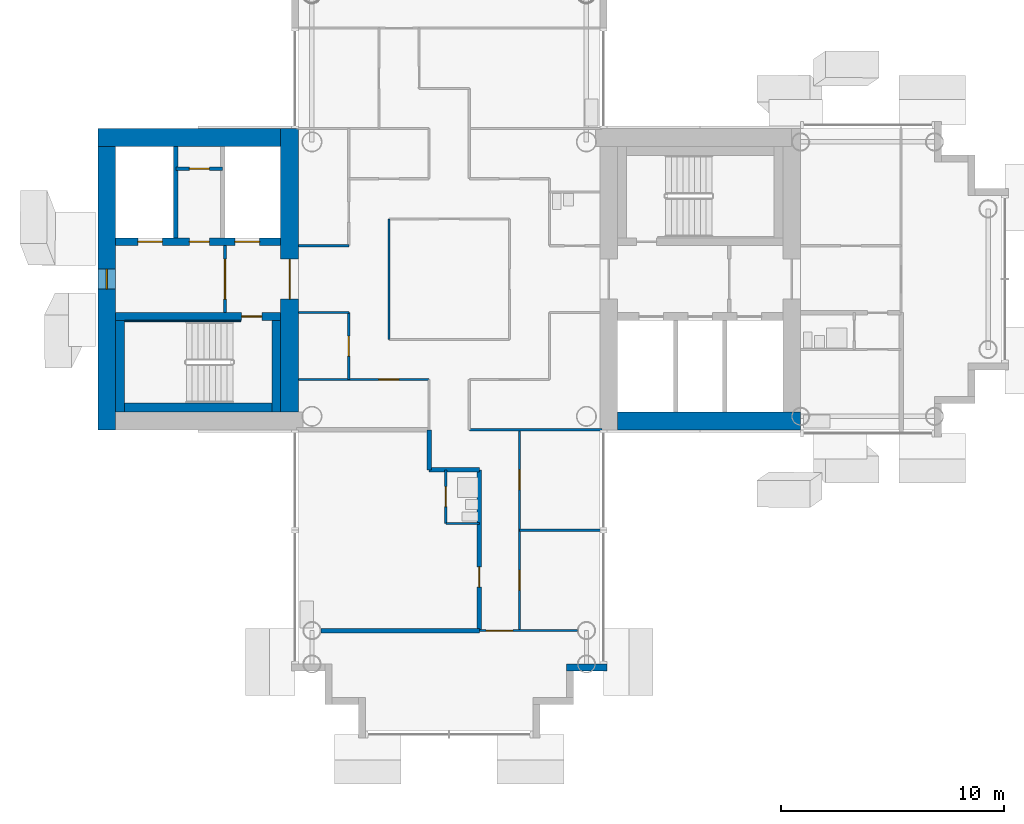
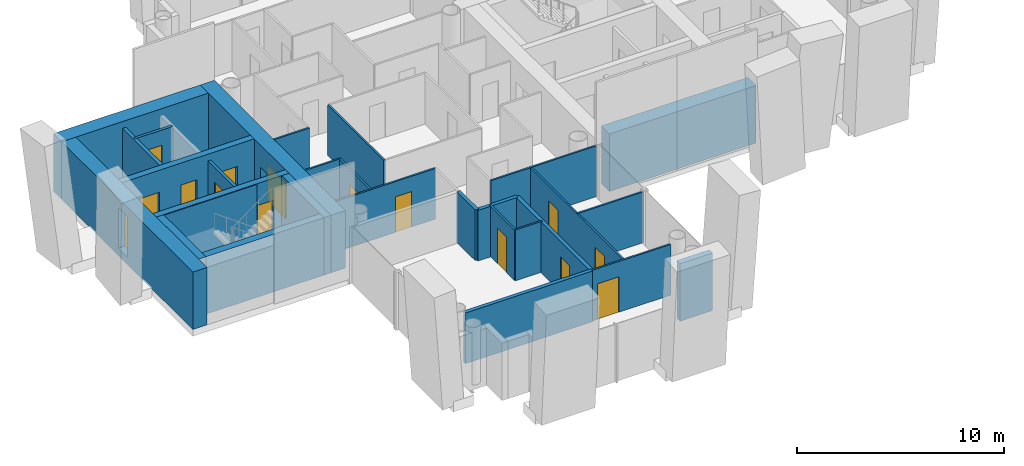
# One storey, part 6 of 18: 29 walls, 14 doors, 1 window, 15 openings.
"""IFC4 building model written with IfcOpenShell, lengths in metres."""

from ifc_helpers import new_model, si_unit, direction, frame, frame_2d, origin, place, context, subcontext, project, spatial, rectangle, extrude, material, layer, layer_set, type_object, element, fill, save


model = new_model("IFC4")

# Units and contexts
model_context = context("Model", 3, precision=1e-05, world=origin(), true_north=direction((0.0, 1.0)))
body_context = subcontext(model_context, "Body", "Model", "MODEL_VIEW")
ifc_project = project(units=[si_unit("LENGTHUNIT", "METRE"), si_unit("AREAUNIT", "SQUARE_METRE"), si_unit("VOLUMEUNIT", "CUBIC_METRE"), si_unit("PLANEANGLEUNIT", "RADIAN"), si_unit("MASSUNIT", "GRAM", prefix="KILO")], contexts=[model_context])

# Site, building, storey
site_placement = place(None, origin())
site = spatial("IfcSite", under=ifc_project, at=site_placement, CompositionType="ELEMENT")
building_placement = place(site_placement, origin())
building = spatial("IfcBuilding", under=site, at=building_placement, Name="Ipe Terrace Towers", CompositionType="ELEMENT")
storey_placement = place(building_placement, frame((0.0, 0.0, 164.300048828125)))
storey = spatial("IfcBuildingStorey", under=building, at=storey_placement, Name="L45", CompositionType="ELEMENT", Elevation=164.300048828125)

# Wall
ifc_material_1 = material(Name="Concrete C40/50 with buff precast cladding", Category="concrete")
ifc_layer_1 = layer(ifc_material_1, 0.320068359375)
ifc_layer_set_1 = layer_set([ifc_layer_1], Name="BUFF CLADDING WALL 320")
wall_type_1 = type_object("IfcWallType", Name="BUFF CLADDING WALL 320", PredefinedType="STANDARD", material=ifc_layer_set_1)
wall_1_placement = place(storey_placement, frame((-30.75, -17.409912109375, -0.300048828125), z_axis=(0.0, 0.0, 1.0), x_axis=(1.0, 0.0, 0.0)))
element("IfcWall", 1, at=wall_1_placement, inside=storey, type_object=wall_type_1, Name="T1-W-L45-12a wall", PredefinedType="STANDARD", context=body_context, shape_type="SweptSolid", body=[
    extrude(rectangle(XDim=1.820068359375, YDim=0.320068359375, at=frame_2d((0.91015625, 0.0))), origin(), (0.0, 0.0, 1.0), 3.39990234375),
])

# Wall, opening, door
ifc_material_2 = material(Name="Gypsum board partition", Category="plasterboard")
ifc_layer_2 = layer(ifc_material_2, 0.10009765625)
ifc_layer_set_2 = layer_set([ifc_layer_2], Name="Gypsum board partition 100 mm")
wall_type_2 = type_object("IfcWallType", Name="Gypsum board partition 100 mm", PredefinedType="PARTITIONING", material=ifc_layer_set_2)
wall_2_placement = place(storey_placement, frame((-40.5, -4.5, 0.0), z_axis=(0.0, 0.0, 1.0), x_axis=(0.0, 1.0, 0.0)))
wall_2 = element("IfcWall", 2, at=wall_2_placement, inside=storey, type_object=wall_type_2, Name="Gypsum board partition T1 L45 W01", PredefinedType="PARTITIONING", context=body_context, shape_type="SweptSolid", body=[
    extrude(rectangle(XDim=3.0, YDim=0.10009765625, at=frame_2d((1.5, 0.0))), origin(), (0.0, 0.0, 1.0), 3.0),
])
opening_1_placement = place(wall_2_placement, frame((1.050048828125, 0.0, 0.0)))
opening_1 = element("IfcOpeningElement", 3, at=opening_1_placement, cuts=wall_2, Name="Opening T1-Z3F-08", PredefinedType="OPENING", context=body_context, shape_type="SweptSolid", body=[
    extrude(rectangle(XDim=0.89990234375, YDim=2.10009765625, at=frame_2d((0.449951171875, 1.050048828125))), frame((0.0, 0.06005859375, 0.0), z_axis=(0.0, -1.0, 0.0), x_axis=(1.0, 0.0, 0.0)), (0.0, 0.0, 1.0), 0.1201171875),
])
ifc_material_3 = material(Name="Timber door leaf", Category="wood")
door_type_1 = type_object("IfcDoorType", Name="Lounge door 900 x 2100", OperationType="NOTDEFINED", PredefinedType="DOOR", material=ifc_material_3)
door_1_placement = place(opening_1_placement, origin())
door_1 = element("IfcDoor", 4, at=door_1_placement, inside=storey, type_object=door_type_1, Name="Lounge door T1-Z3F-08", OperationType="SINGLE_SWING_LEFT", OverallHeight=2.10009765625, OverallWidth=0.89990234375, PredefinedType="DOOR", context=body_context, shape_type="SweptSolid", body=[
    extrude(rectangle(XDim=0.89990234375, YDim=2.10009765625, at=frame_2d((0.449951171875, 1.050048828125))), frame((0.0, 0.02490234375, 0.0), z_axis=(0.0, -1.0, 0.0), x_axis=(1.0, 0.0, 0.0)), (0.0, 0.0, 1.0), 0.050048828125),
])
fill(opening_1, door_1)

# Wall
wall_3_placement = place(storey_placement, frame((-38.699951171875, -2.699951171875, 0.0), z_axis=(0.0, 0.0, 1.0), x_axis=(0.0, 1.0, 0.0)))
element("IfcWall", 5, at=wall_3_placement, inside=storey, type_object=wall_type_2, Name="Gypsum board partition T1 L45 W04", PredefinedType="PARTITIONING", context=body_context, shape_type="SweptSolid", body=[
    extrude(rectangle(XDim=5.39990234375, YDim=0.10009765625, at=frame_2d((2.699951171875, 0.0))), origin(), (0.0, 0.0, 1.0), 3.0),
])

# Wall, opening, door
wall_4_placement = place(storey_placement, frame((-36.14990234375, -10.949951171875, 0.0), z_axis=(0.0, 0.0, 1.0), x_axis=(0.0, 1.0, 0.0)))
wall_4 = element("IfcWall", 6, at=wall_4_placement, inside=storey, type_object=wall_type_2, Name="Gypsum board partition T1 L45 W09", PredefinedType="PARTITIONING", context=body_context, shape_type="SweptSolid", body=[
    extrude(rectangle(XDim=2.39990234375, YDim=0.10009765625, at=frame_2d((1.199951171875, 0.0))), origin(), (0.0, 0.0, 1.0), 3.0),
])
opening_2_placement = place(wall_4_placement, frame((0.75, 0.0, 0.0)))
opening_2 = element("IfcOpeningElement", 7, at=opening_2_placement, cuts=wall_4, Name="Opening T1-Z3F-16", PredefinedType="OPENING", context=body_context, shape_type="SweptSolid", body=[
    extrude(rectangle(XDim=0.89990234375, YDim=2.10009765625, at=frame_2d((0.449951171875, 1.050048828125))), frame((0.0, 0.06005859375, 0.0), z_axis=(0.0, -1.0, 0.0), x_axis=(1.0, 0.0, 0.0)), (0.0, 0.0, 1.0), 0.1201171875),
])
ifc_material_4 = material(Name="Timber door leaf", Category="wood")
door_type_2 = type_object("IfcDoorType", Name="Bathroom door 900 x 2100", OperationType="NOTDEFINED", PredefinedType="DOOR", material=ifc_material_4)
door_2_placement = place(opening_2_placement, origin())
door_2 = element("IfcDoor", 8, at=door_2_placement, inside=storey, type_object=door_type_2, Name="Bathroom door T1-Z3F-16", OperationType="SINGLE_SWING_RIGHT", OverallHeight=2.10009765625, OverallWidth=0.89990234375, PredefinedType="DOOR", context=body_context, shape_type="SweptSolid", body=[
    extrude(rectangle(XDim=0.89990234375, YDim=2.10009765625, at=frame_2d((0.449951171875, 1.050048828125))), frame((0.0, 0.02490234375, 0.0), z_axis=(0.0, -1.0, 0.0), x_axis=(1.0, 0.0, 0.0)), (0.0, 0.0, 1.0), 0.050048828125),
])
fill(opening_2, door_2)

# Wall, openings, doors
wall_5_placement = place(storey_placement, frame((-32.85009765625, -15.75, 0.0), z_axis=(0.0, 0.0, 1.0), x_axis=(0.0, 1.0, 0.0)))
wall_5 = element("IfcWall", 9, at=wall_5_placement, inside=storey, type_object=wall_type_2, Name="Gypsum board partition T1 L45 W14", PredefinedType="PARTITIONING", context=body_context, shape_type="SweptSolid", body=[
    extrude(rectangle(XDim=9.0, YDim=0.10009765625, at=frame_2d((4.5, 0.0))), origin(), (0.0, 0.0, 1.0), 3.0),
])
opening_3_placement = place(wall_5_placement, frame((6.300048828125, 0.0, 0.0)))
opening_3 = element("IfcOpeningElement", 10, at=opening_3_placement, cuts=wall_5, Name="Opening T1-Z3F-13", PredefinedType="OPENING", context=body_context, shape_type="SweptSolid", body=[
    extrude(rectangle(XDim=0.89990234375, YDim=2.10009765625, at=frame_2d((0.449951171875, 1.050048828125))), frame((0.0, 0.06005859375, 0.0), z_axis=(0.0, -1.0, 0.0), x_axis=(1.0, 0.0, 0.0)), (0.0, 0.0, 1.0), 0.1201171875),
])
opening_4_placement = place(wall_5_placement, frame((1.800048828125, 0.0, 0.0)))
opening_4 = element("IfcOpeningElement", 11, at=opening_4_placement, cuts=wall_5, Name="Opening T1-Z3F-14", PredefinedType="OPENING", context=body_context, shape_type="SweptSolid", body=[
    extrude(rectangle(XDim=0.89990234375, YDim=2.10009765625, at=frame_2d((0.449951171875, 1.050048828125))), frame((0.0, 0.06005859375, 0.0), z_axis=(0.0, -1.0, 0.0), x_axis=(1.0, 0.0, 0.0)), (0.0, 0.0, 1.0), 0.1201171875),
])
door_3_placement = place(opening_3_placement, origin())
door_3 = element("IfcDoor", 12, at=door_3_placement, inside=storey, type_object=door_type_1, Name="Lounge door T1-Z3F-13", OperationType="SINGLE_SWING_RIGHT", OverallHeight=2.10009765625, OverallWidth=0.89990234375, PredefinedType="DOOR", context=body_context, shape_type="SweptSolid", body=[
    extrude(rectangle(XDim=0.89990234375, YDim=2.10009765625, at=frame_2d((0.449951171875, 1.050048828125))), frame((0.0, 0.02490234375, 0.0), z_axis=(0.0, -1.0, 0.0), x_axis=(1.0, 0.0, 0.0)), (0.0, 0.0, 1.0), 0.050048828125),
])
fill(opening_3, door_3)
door_4_placement = place(opening_4_placement, origin())
door_4 = element("IfcDoor", 13, at=door_4_placement, inside=storey, type_object=door_type_1, Name="Lounge door T1-Z3F-14", OperationType="SINGLE_SWING_LEFT", OverallHeight=2.10009765625, OverallWidth=0.89990234375, PredefinedType="DOOR", context=body_context, shape_type="SweptSolid", body=[
    extrude(rectangle(XDim=0.89990234375, YDim=2.10009765625, at=frame_2d((0.449951171875, 1.050048828125))), frame((0.0, 0.02490234375, 0.0), z_axis=(0.0, -1.0, 0.0), x_axis=(1.0, 0.0, 0.0)), (0.0, 0.0, 1.0), 0.050048828125),
])
fill(opening_4, door_4)

# Wall, opening, door
wall_6_placement = place(storey_placement, frame((-34.64990234375, -15.75, 0.0), z_axis=(0.0, 0.0, 1.0), x_axis=(1.0, 0.0, 0.0)))
wall_6 = element("IfcWall", 14, at=wall_6_placement, inside=storey, type_object=wall_type_2, Name="Gypsum board partition T1 L45 W20", PredefinedType="PARTITIONING", context=body_context, shape_type="SweptSolid", body=[
    extrude(rectangle(XDim=4.39990234375, YDim=0.10009765625, at=frame_2d((2.199951171875, 0.0))), origin(), (0.0, 0.0, 1.0), 3.0),
])
opening_5_placement = place(wall_6_placement, frame((0.300048828125, 0.0, 0.0)))
opening_5 = element("IfcOpeningElement", 15, at=opening_5_placement, cuts=wall_6, Name="Opening T1-Z3F-17", PredefinedType="OPENING", context=body_context, shape_type="SweptSolid", body=[
    extrude(rectangle(XDim=1.199951171875, YDim=2.10009765625, at=frame_2d((0.60009765625, 1.050048828125))), frame((0.0, 0.06005859375, 0.0), z_axis=(0.0, -1.0, 0.0), x_axis=(1.0, 0.0, 0.0)), (0.0, 0.0, 1.0), 0.1201171875),
])
ifc_material_5 = material(Name="Timber door leaf", Category="wood")
door_type_3 = type_object("IfcDoorType", Name="Lounge door 1200 x 2100", OperationType="NOTDEFINED", PredefinedType="DOOR", material=ifc_material_5)
door_5_placement = place(opening_5_placement, origin())
door_5 = element("IfcDoor", 16, at=door_5_placement, inside=storey, type_object=door_type_3, Name="Lounge door T1-Z3F-17", OperationType="SINGLE_SWING_LEFT", OverallHeight=2.10009765625, OverallWidth=1.199951171875, PredefinedType="DOOR", context=body_context, shape_type="SweptSolid", body=[
    extrude(rectangle(XDim=1.199951171875, YDim=2.10009765625, at=frame_2d((0.60009765625, 1.050048828125))), frame((0.0, 0.02490234375, 0.0), z_axis=(0.0, -1.0, 0.0), x_axis=(1.0, 0.0, 0.0)), (0.0, 0.0, 1.0), 0.050048828125),
])
fill(opening_5, door_5)

# Walls
wall_7_placement = place(storey_placement, frame((-32.85009765625, -11.25, 0.0), z_axis=(0.0, 0.0, 1.0), x_axis=(1.0, 0.0, 0.0)))
element("IfcWall", 17, at=wall_7_placement, inside=storey, type_object=wall_type_2, Name="Gypsum board partition T1 L45 W22", PredefinedType="PARTITIONING", context=body_context, shape_type="SweptSolid", body=[
    extrude(rectangle(XDim=3.7001953125, YDim=0.10009765625, at=frame_2d((1.85009765625, 0.0))), origin(), (0.0, 0.0, 1.0), 3.0),
])
wall_8_placement = place(storey_placement, frame((-36.14990234375, -10.949951171875, 0.0), z_axis=(0.0, 0.0, 1.0), x_axis=(1.0, 0.0, 0.0)))
element("IfcWall", 18, at=wall_8_placement, inside=storey, type_object=wall_type_2, Name="Gypsum board partition T1 L45 W23", PredefinedType="PARTITIONING", context=body_context, shape_type="SweptSolid", body=[
    extrude(rectangle(XDim=1.5, YDim=0.10009765625, at=frame_2d((0.75, 0.0))), origin(), (0.0, 0.0, 1.0), 3.0),
])
wall_9_placement = place(storey_placement, frame((-35.10009765625, -6.75, 0.0), z_axis=(0.0, 0.0, 1.0), x_axis=(1.0, 0.0, 0.0)))
element("IfcWall", 19, at=wall_9_placement, inside=storey, type_object=wall_type_2, Name="Gypsum board partition T1 L45 W25", PredefinedType="PARTITIONING", context=body_context, shape_type="SweptSolid", body=[
    extrude(rectangle(XDim=5.9501953125, YDim=0.10009765625, at=frame_2d((2.97509765625, 0.0))), origin(), (0.0, 0.0, 1.0), 3.0),
])

# Wall, opening, door
wall_10_placement = place(storey_placement, frame((-42.75, -4.5, 0.0), z_axis=(0.0, 0.0, 1.0), x_axis=(1.0, 0.0, 0.0)))
wall_10 = element("IfcWall", 20, at=wall_10_placement, inside=storey, type_object=wall_type_2, Name="Gypsum board partition T1 L45 W27", PredefinedType="PARTITIONING", context=body_context, shape_type="SweptSolid", body=[
    extrude(rectangle(XDim=5.85009765625, YDim=0.10009765625, at=frame_2d((2.925048828125, 0.0))), origin(), (0.0, 0.0, 1.0), 3.0),
])
opening_6_placement = place(wall_10_placement, frame((3.60009765625, 0.0, 0.0)))
opening_6 = element("IfcOpeningElement", 21, at=opening_6_placement, cuts=wall_10, Name="Opening T1-Z3F-07", PredefinedType="OPENING", context=body_context, shape_type="SweptSolid", body=[
    extrude(rectangle(XDim=0.89990234375, YDim=2.10009765625, at=frame_2d((0.449951171875, 1.050048828125))), frame((0.0, 0.06005859375, 0.0), z_axis=(0.0, -1.0, 0.0), x_axis=(1.0, 0.0, 0.0)), (0.0, 0.0, 1.0), 0.1201171875),
])
door_6_placement = place(opening_6_placement, origin())
door_6 = element("IfcDoor", 22, at=door_6_placement, inside=storey, type_object=door_type_1, Name="Lounge door T1-Z3F-07", OperationType="SINGLE_SWING_RIGHT", OverallHeight=2.10009765625, OverallWidth=0.89990234375, PredefinedType="DOOR", context=body_context, shape_type="SweptSolid", body=[
    extrude(rectangle(XDim=0.89990234375, YDim=2.10009765625, at=frame_2d((0.449951171875, 1.050048828125))), frame((0.0, 0.02490234375, 0.0), z_axis=(0.0, -1.0, 0.0), x_axis=(1.0, 0.0, 0.0)), (0.0, 0.0, 1.0), 0.050048828125),
])
fill(opening_6, door_6)

# Walls
for number, where, z_axis, x_axis, name in (
    (23, (-42.75, -1.5, 0.0), (0.0, 0.0, 1.0), (1.0, 0.0, 0.0), "Gypsum board partition T1 L45 W31"),
    (24, (-42.75, 1.5, 0.0), (0.0, 0.0, 1.0), (1.0, 0.0, 0.0), "Gypsum board partition T1 L45 W34"),
):
    element("IfcWall", number, at=place(storey_placement, frame(where, z_axis=z_axis, x_axis=x_axis)), inside=storey, type_object=wall_type_2, Name=name, PredefinedType="PARTITIONING", context=body_context, shape_type="SweptSolid", body=[
        extrude(rectangle(XDim=2.25, YDim=0.10009765625, at=frame_2d((1.125, 0.0))), origin(), (0.0, 0.0, 1.0), 3.0),
    ])

# Wall, opening, door
ifc_material_6 = material(Name="Gypsum board partition", Category="plasterboard")
ifc_layer_3 = layer(ifc_material_6, 0.14990234375)
ifc_layer_set_3 = layer_set([ifc_layer_3], Name="Gypsum board partition 150 mm")
wall_type_3 = type_object("IfcWallType", Name="Gypsum board partition 150 mm", PredefinedType="PARTITIONING", material=ifc_layer_set_3)
wall_11_placement = place(storey_placement, frame((-46.050048828125, 1.5, 0.0), z_axis=(0.0, 0.0, 1.0), x_axis=(0.0, -1.0, 0.0)))
wall_11 = element("IfcWall", 25, at=wall_11_placement, inside=storey, type_object=wall_type_3, Name="Gypsum board partition T1 L45 t1c2-lobby-wall", PredefinedType="PARTITIONING", context=body_context, shape_type="SweptSolid", body=[
    extrude(rectangle(XDim=3.0, YDim=0.14990234375, at=frame_2d((1.5, 0.0))), origin(), (0.0, 0.0, 1.0), 3.0),
])
opening_7_placement = place(wall_11_placement, frame((0.60009765625, 0.0, 0.0)))
opening_7 = element("IfcOpeningElement", 26, at=opening_7_placement, cuts=wall_11, Name="Opening T1C2-VD", PredefinedType="OPENING", context=body_context, shape_type="SweptSolid", body=[
    extrude(rectangle(XDim=1.800048828125, YDim=2.10009765625, at=frame_2d((0.89990234375, 1.050048828125))), frame((0.0, 0.0849609375, 0.0), z_axis=(0.0, -1.0, 0.0), x_axis=(1.0, 0.0, 0.0)), (0.0, 0.0, 1.0), 0.169921875),
])
ifc_material_7 = material(Name="Fire-rated timber door leaf", Category="wood")
door_type_4 = type_object("IfcDoorType", Name="Lobby door 1800 x 2100 FD60", OperationType="NOTDEFINED", PredefinedType="DOOR", material=ifc_material_7)
door_7_placement = place(opening_7_placement, origin())
door_7 = element("IfcDoor", 27, at=door_7_placement, inside=storey, type_object=door_type_4, Name="Lobby door T1C2-VD", OperationType="SINGLE_SWING_LEFT", OverallHeight=2.10009765625, OverallWidth=1.800048828125, PredefinedType="DOOR", context=body_context, shape_type="SweptSolid", body=[
    extrude(rectangle(XDim=1.800048828125, YDim=2.10009765625, at=frame_2d((0.89990234375, 1.050048828125))), frame((0.0, 0.02490234375, 0.0), z_axis=(0.0, -1.0, 0.0), x_axis=(1.0, 0.0, 0.0)), (0.0, 0.0, 1.0), 0.050048828125),
])
fill(opening_7, door_7)

wall_12_placement = place(storey_placement, frame((-46.14990234375, 4.949951171875, 0.0), z_axis=(0.0, 0.0, 1.0), x_axis=(-1.0, 0.0, 0.0)))
wall_12 = element("IfcWall", 28, at=wall_12_placement, inside=storey, type_object=wall_type_3, Name="Gypsum board partition T1 L45 t1c2-q-back", PredefinedType="PARTITIONING", context=body_context, shape_type="SweptSolid", body=[
    extrude(rectangle(XDim=2.10009765625, YDim=0.14990234375, at=frame_2d((1.050048828125, 0.0))), origin(), (0.0, 0.0, 1.0), 3.0),
])
opening_8_placement = place(wall_12_placement, frame((0.60009765625, 0.0, 0.0)))
opening_8 = element("IfcOpeningElement", 29, at=opening_8_placement, cuts=wall_12, Name="Opening T1C2-RB", PredefinedType="OPENING", context=body_context, shape_type="SweptSolid", body=[
    extrude(rectangle(XDim=0.89990234375, YDim=2.10009765625, at=frame_2d((0.449951171875, 1.050048828125))), frame((0.0, 0.0849609375, 0.0), z_axis=(0.0, -1.0, 0.0), x_axis=(1.0, 0.0, 0.0)), (0.0, 0.0, 1.0), 0.169921875),
])
ifc_material_8 = material(Name="Fire-rated timber door leaf", Category="wood")
door_type_5 = type_object("IfcDoorType", Name="Service door 900 x 2100 FD60", OperationType="NOTDEFINED", PredefinedType="DOOR", material=ifc_material_8)
door_8_placement = place(opening_8_placement, origin())
door_8 = element("IfcDoor", 30, at=door_8_placement, inside=storey, type_object=door_type_5, Name="Service door T1C2-RB", OperationType="SINGLE_SWING_LEFT", OverallHeight=2.10009765625, OverallWidth=0.89990234375, PredefinedType="DOOR", context=body_context, shape_type="SweptSolid", body=[
    extrude(rectangle(XDim=0.89990234375, YDim=2.10009765625, at=frame_2d((0.449951171875, 1.050048828125))), frame((0.0, 0.02490234375, 0.0), z_axis=(0.0, -1.0, 0.0), x_axis=(1.0, 0.0, 0.0)), (0.0, 0.0, 1.0), 0.050048828125),
])
fill(opening_8, door_8)

# Walls
ifc_material_9 = material(Name="Gypsum board party wall", Category="plasterboard")
ifc_layer_4 = layer(ifc_material_9, 0.199951171875)
ifc_layer_set_4 = layer_set([ifc_layer_4], Name="Gypsum board party wall 200 mm")
wall_type_4 = type_object("IfcWallType", Name="Gypsum board party wall 200 mm", PredefinedType="SOLIDWALL", material=ifc_layer_set_4)
wall_13_placement = place(storey_placement, frame((-48.25, 5.949951171875, 0.0), z_axis=(0.0, 0.0, 1.0), x_axis=(0.0, -1.0, 0.0)))
element("IfcWall", 31, at=wall_13_placement, inside=storey, type_object=wall_type_4, Name="Gypsum board party wall T1 L45 t1c2-shaft-div2", PredefinedType="SOLIDWALL", context=body_context, shape_type="SweptSolid", body=[
    extrude(rectangle(XDim=4.099853515625, YDim=0.199951171875, at=frame_2d((2.0498046875, 0.0))), origin(), (0.0, 0.0, 1.0), 3.0),
])
wall_14_placement = place(storey_placement, frame((-36.89990234375, -8.550048828125, 0.0), z_axis=(0.0, 0.0, 1.0), x_axis=(0.0, 1.0, 0.0)))
element("IfcWall", 32, at=wall_14_placement, inside=storey, type_object=wall_type_4, Name="Gypsum board party wall T1 L45 W08", PredefinedType="SOLIDWALL", context=body_context, shape_type="SweptSolid", body=[
    extrude(rectangle(XDim=1.800048828125, YDim=0.199951171875, at=frame_2d((0.89990234375, 0.0))), origin(), (0.0, 0.0, 1.0), 3.0),
])

# Wall, opening, door
wall_15_placement = place(storey_placement, frame((-34.64990234375, -15.75, 0.0), z_axis=(0.0, 0.0, 1.0), x_axis=(0.0, 1.0, 0.0)))
wall_15 = element("IfcWall", 33, at=wall_15_placement, inside=storey, type_object=wall_type_4, Name="Gypsum board party wall T1 L45 W12", PredefinedType="SOLIDWALL", context=body_context, shape_type="SweptSolid", body=[
    extrude(rectangle(XDim=7.199951171875, YDim=0.199951171875, at=frame_2d((3.60009765625, 0.0))), origin(), (0.0, 0.0, 1.0), 3.0),
])
opening_9_placement = place(wall_15_placement, frame((1.949951171875, 0.0, 0.0)))
opening_9 = element("IfcOpeningElement", 34, at=opening_9_placement, cuts=wall_15, Name="Opening T1-Z3F-15", PredefinedType="OPENING", context=body_context, shape_type="SweptSolid", body=[
    extrude(rectangle(XDim=0.89990234375, YDim=2.10009765625, at=frame_2d((0.449951171875, 1.050048828125))), frame((0.0, 0.10986328125, 0.0), z_axis=(0.0, -1.0, 0.0), x_axis=(1.0, 0.0, 0.0)), (0.0, 0.0, 1.0), 0.219970703125),
])
ifc_material_10 = material(Name="Fire-rated timber door leaf", Category="wood")
door_type_6 = type_object("IfcDoorType", Name="Flat entrance door 900 x 2100 FD30S", OperationType="NOTDEFINED", PredefinedType="DOOR", material=ifc_material_10)
door_9_placement = place(opening_9_placement, origin())
door_9 = element("IfcDoor", 35, at=door_9_placement, inside=storey, type_object=door_type_6, Name="Flat entrance door T1-Z3F-15", OperationType="SINGLE_SWING_RIGHT", OverallHeight=2.10009765625, OverallWidth=0.89990234375, PredefinedType="DOOR", context=body_context, shape_type="SweptSolid", body=[
    extrude(rectangle(XDim=0.89990234375, YDim=2.10009765625, at=frame_2d((0.449951171875, 1.050048828125))), frame((0.0, 0.02490234375, 0.0), z_axis=(0.0, -1.0, 0.0), x_axis=(1.0, 0.0, 0.0)), (0.0, 0.0, 1.0), 0.050048828125),
])
fill(opening_9, door_9)

# Walls
wall_16_placement = place(storey_placement, frame((-41.75, -15.75, 0.0), z_axis=(0.0, 0.0, 1.0), x_axis=(1.0, 0.0, 0.0)))
element("IfcWall", 36, at=wall_16_placement, inside=storey, type_object=wall_type_4, Name="Gypsum board party wall T1 L45 W21", PredefinedType="SOLIDWALL", context=body_context, shape_type="SweptSolid", body=[
    extrude(rectangle(XDim=7.10009765625, YDim=0.199951171875, at=frame_2d((3.550048828125, 0.0))), origin(), (0.0, 0.0, 1.0), 3.0),
])
wall_17_placement = place(storey_placement, frame((-36.89990234375, -8.550048828125, 0.0), z_axis=(0.0, 0.0, 1.0), x_axis=(1.0, 0.0, 0.0)))
element("IfcWall", 37, at=wall_17_placement, inside=storey, type_object=wall_type_4, Name="Gypsum board party wall T1 L45 W24", PredefinedType="SOLIDWALL", context=body_context, shape_type="SweptSolid", body=[
    extrude(rectangle(XDim=2.25, YDim=0.199951171875, at=frame_2d((1.125, 0.0))), origin(), (0.0, 0.0, 1.0), 3.0),
])

# Wall, opening, door
ifc_material_11 = material(Name="Concrete C50/60", Category="concrete")
ifc_layer_5 = layer(ifc_material_11, 0.35009765625)
ifc_layer_set_5 = layer_set([ifc_layer_5], Name="RW350 CORE SPINE WALL 350 C50-60")
wall_type_5 = type_object("IfcWallType", Name="RW350 CORE SPINE WALL 350 C50-60", PredefinedType="SHEAR", material=ifc_layer_set_5)
wall_18_placement = place(storey_placement, frame((-50.949951171875, -1.675048828125, 0.0), z_axis=(0.0, 0.0, 1.0), x_axis=(1.0, 0.0, 0.0)))
wall_18 = element("IfcWall", 38, at=wall_18_placement, inside=storey, type_object=wall_type_5, Name="Core spine wall T1-C2-Z3-SW1", PredefinedType="SHEAR", context=body_context, shape_type="SweptSolid", body=[
    extrude(rectangle(XDim=7.39990234375, YDim=0.35009765625, at=frame_2d((3.699951171875, 0.0))), origin(), (0.0, 0.0, 1.0), 3.39990234375),
])
opening_10_placement = place(wall_18_placement, frame((5.64990234375, 0.0, 0.0)))
opening_10 = element("IfcOpeningElement", 39, at=opening_10_placement, cuts=wall_18, Name="Opening T1C2-SD", PredefinedType="OPENING", context=body_context, shape_type="SweptSolid", body=[
    extrude(rectangle(XDim=0.89990234375, YDim=2.10009765625, at=frame_2d((0.449951171875, 1.050048828125))), frame((0.0, 0.18505859375, 0.0), z_axis=(0.0, -1.0, 0.0), x_axis=(1.0, 0.0, 0.0)), (0.0, 0.0, 1.0), 0.3701171875),
])
ifc_material_12 = material(Name="Fire-rated timber door leaf", Category="wood")
door_type_7 = type_object("IfcDoorType", Name="Stair door 900 x 2100 FD60", OperationType="NOTDEFINED", PredefinedType="DOOR", material=ifc_material_12)
door_10_placement = place(opening_10_placement, origin())
door_10 = element("IfcDoor", 40, at=door_10_placement, inside=storey, type_object=door_type_7, Name="Stair door T1C2-SD", OperationType="SINGLE_SWING_RIGHT", OverallHeight=2.10009765625, OverallWidth=0.89990234375, PredefinedType="DOOR", context=body_context, shape_type="SweptSolid", body=[
    extrude(rectangle(XDim=0.89990234375, YDim=2.10009765625, at=frame_2d((0.449951171875, 1.050048828125))), frame((0.0, 0.02490234375, 0.0), z_axis=(0.0, -1.0, 0.0), x_axis=(1.0, 0.0, 0.0)), (0.0, 0.0, 1.0), 0.050048828125),
])
fill(opening_10, door_10)

# Wall, openings, doors
wall_19_placement = place(storey_placement, frame((-50.949951171875, 1.675048828125, 0.0), z_axis=(0.0, 0.0, 1.0), x_axis=(1.0, 0.0, 0.0)))
wall_19 = element("IfcWall", 41, at=wall_19_placement, inside=storey, type_object=wall_type_5, Name="Core spine wall T1-C2-Z3-SW2", PredefinedType="SHEAR", context=body_context, shape_type="SweptSolid", body=[
    extrude(rectangle(XDim=7.39990234375, YDim=0.35009765625, at=frame_2d((3.699951171875, 0.0))), origin(), (0.0, 0.0, 1.0), 3.39990234375),
])
opening_11_placement = place(wall_19_placement, frame((5.35009765625, 0.0, 0.0)))
opening_11 = element("IfcOpeningElement", 42, at=opening_11_placement, cuts=wall_19, Name="Opening T1C2-LD1", PredefinedType="OPENING", context=body_context, shape_type="SweptSolid", body=[
    extrude(rectangle(XDim=1.10009765625, YDim=2.10009765625, at=frame_2d((0.550048828125, 1.050048828125))), frame((0.0, 0.18505859375, 0.0), z_axis=(0.0, -1.0, 0.0), x_axis=(1.0, 0.0, 0.0)), (0.0, 0.0, 1.0), 0.3701171875),
])
opening_12_placement = place(wall_19_placement, frame((1.0, 0.0, 0.0)))
opening_12 = element("IfcOpeningElement", 43, at=opening_12_placement, cuts=wall_19, Name="Opening T1C2-LD3", PredefinedType="OPENING", context=body_context, shape_type="SweptSolid", body=[
    extrude(rectangle(XDim=1.10009765625, YDim=2.10009765625, at=frame_2d((0.550048828125, 1.050048828125))), frame((0.0, 0.18505859375, 0.0), z_axis=(0.0, -1.0, 0.0), x_axis=(1.0, 0.0, 0.0)), (0.0, 0.0, 1.0), 0.3701171875),
])
opening_13_placement = place(wall_19_placement, frame((3.300048828125, 0.0, 0.0)))
opening_13 = element("IfcOpeningElement", 44, at=opening_13_placement, cuts=wall_19, Name="Opening T1C2-R1-NR", PredefinedType="OPENING", context=body_context, shape_type="SweptSolid", body=[
    extrude(rectangle(XDim=0.89990234375, YDim=2.10009765625, at=frame_2d((0.449951171875, 1.050048828125))), frame((0.0, 0.18505859375, 0.0), z_axis=(0.0, -1.0, 0.0), x_axis=(1.0, 0.0, 0.0)), (0.0, 0.0, 1.0), 0.3701171875),
])
ifc_material_13 = material(Name="Fire-rated timber door leaf", Category="wood")
door_type_8 = type_object("IfcDoorType", Name="Sliding door 1100 x 2100 FD60", OperationType="SLIDING_TO_LEFT", PredefinedType="DOOR", material=ifc_material_13)
door_11_placement = place(opening_11_placement, origin())
door_11 = element("IfcDoor", 45, at=door_11_placement, inside=storey, type_object=door_type_8, Name="Sliding door T1C2-LD1", OperationType="SLIDING_TO_LEFT", OverallHeight=2.10009765625, OverallWidth=1.10009765625, PredefinedType="DOOR", context=body_context, shape_type="SweptSolid", body=[
    extrude(rectangle(XDim=1.10009765625, YDim=2.10009765625, at=frame_2d((0.550048828125, 1.050048828125))), frame((0.0, 0.02490234375, 0.0), z_axis=(0.0, -1.0, 0.0), x_axis=(1.0, 0.0, 0.0)), (0.0, 0.0, 1.0), 0.050048828125),
])
fill(opening_11, door_11)
door_12_placement = place(opening_12_placement, origin())
door_12 = element("IfcDoor", 46, at=door_12_placement, inside=storey, type_object=door_type_8, Name="Sliding door T1C2-LD3", OperationType="SLIDING_TO_LEFT", OverallHeight=2.10009765625, OverallWidth=1.10009765625, PredefinedType="DOOR", context=body_context, shape_type="SweptSolid", body=[
    extrude(rectangle(XDim=1.10009765625, YDim=2.10009765625, at=frame_2d((0.550048828125, 1.050048828125))), frame((0.0, 0.02490234375, 0.0), z_axis=(0.0, -1.0, 0.0), x_axis=(1.0, 0.0, 0.0)), (0.0, 0.0, 1.0), 0.050048828125),
])
fill(opening_12, door_12)
ifc_material_14 = material(Name="Timber door leaf", Category="wood")
door_type_9 = type_object("IfcDoorType", Name="Store door 900 x 2100", OperationType="NOTDEFINED", PredefinedType="DOOR", material=ifc_material_14)
door_13_placement = place(opening_13_placement, origin())
door_13 = element("IfcDoor", 47, at=door_13_placement, inside=storey, type_object=door_type_9, Name="Store door T1C2-R1-NR", OperationType="SINGLE_SWING_LEFT", OverallHeight=2.10009765625, OverallWidth=0.89990234375, PredefinedType="DOOR", context=body_context, shape_type="SweptSolid", body=[
    extrude(rectangle(XDim=0.89990234375, YDim=2.10009765625, at=frame_2d((0.449951171875, 1.050048828125))), frame((0.0, 0.02490234375, 0.0), z_axis=(0.0, -1.0, 0.0), x_axis=(1.0, 0.0, 0.0)), (0.0, 0.0, 1.0), 0.050048828125),
])
fill(opening_13, door_13)

# Walls
ifc_material_15 = material(Name="Concrete C50/60", Category="concrete")
ifc_layer_6 = layer(ifc_material_15, 0.39990234375)
ifc_layer_set_6 = layer_set([ifc_layer_6], Name="RW400 CORE INFILL WALL 400 C50-60")
wall_type_6 = type_object("IfcWallType", Name="RW400 CORE INFILL WALL 400 C50-60", PredefinedType="SHEAR", material=ifc_layer_set_6)
wall_20_placement = place(storey_placement, frame((-50.75, -1.85009765625, 0.0), z_axis=(0.0, 0.0, 1.0), x_axis=(0.0, -1.0, 0.0)))
element("IfcWall", 48, at=wall_20_placement, inside=storey, type_object=wall_type_6, Name="Core infill wall T1-C2-far", PredefinedType="SHEAR", context=body_context, shape_type="SweptSolid", body=[
    extrude(rectangle(XDim=4.099853515625, YDim=0.39990234375, at=frame_2d((2.0498046875, 0.0))), origin(), (0.0, 0.0, 1.0), 3.39990234375),
])
wall_21_placement = place(storey_placement, frame((-43.949951171875, -5.75, 0.0), z_axis=(0.0, 0.0, 1.0), x_axis=(-1.0, 0.0, 0.0)))
element("IfcWall", 49, at=wall_21_placement, inside=storey, type_object=wall_type_6, Name="Core infill wall T1-C2-back", PredefinedType="SHEAR", context=body_context, shape_type="SweptSolid", body=[
    extrude(rectangle(XDim=6.60009765625, YDim=0.39990234375, at=frame_2d((3.300048828125, 0.0))), origin(), (0.0, 0.0, 1.0), 3.39990234375),
])
wall_22_placement = place(storey_placement, frame((-43.75, -1.85009765625, 0.0), z_axis=(0.0, 0.0, 1.0), x_axis=(0.0, -1.0, 0.0)))
element("IfcWall", 50, at=wall_22_placement, inside=storey, type_object=wall_type_6, Name="Core infill wall T1-C2-near", PredefinedType="SHEAR", context=body_context, shape_type="SweptSolid", body=[
    extrude(rectangle(XDim=4.099853515625, YDim=0.39990234375, at=frame_2d((2.0498046875, 0.0))), origin(), (0.0, 0.0, 1.0), 3.39990234375),
])
ifc_material_16 = material(Name="Concrete C50/60", Category="concrete")
ifc_layer_7 = layer(ifc_material_16, 0.050048828125)
ifc_layer_set_7 = layer_set([ifc_layer_7], Name="RW50 CORE INFILL WALL 50 C50-60")
wall_type_7 = type_object("IfcWallType", Name="RW50 CORE INFILL WALL 50 C50-60", PredefinedType="SHEAR", material=ifc_layer_set_7)
wall_23_placement = place(storey_placement, frame((-45.35009765625, -1.875, 0.0), z_axis=(0.0, 0.0, 1.0), x_axis=(-1.0, 0.0, 0.0)))
element("IfcWall", 51, at=wall_23_placement, inside=storey, type_object=wall_type_7, Name="Core infill wall T1-C2-spine-b", PredefinedType="SHEAR", context=body_context, shape_type="SweptSolid", body=[
    extrude(rectangle(XDim=5.199951171875, YDim=0.050048828125, at=frame_2d((2.60009765625, 0.0))), origin(), (0.0, 0.0, 1.0), 3.39990234375),
])
ifc_material_17 = material(Name="Concrete C50/60", Category="concrete")
ifc_layer_8 = layer(ifc_material_17, 0.800048828125)
ifc_layer_set_8 = layer_set([ifc_layer_8], Name="RW800 CORE WALL 800 C50-60")
wall_type_8 = type_object("IfcWallType", Name="RW800 CORE WALL 800 C50-60", PredefinedType="SHEAR", material=ifc_layer_set_8)
wall_24_placement = place(storey_placement, frame((-28.449951171875, -6.35009765625, 0.0), z_axis=(0.0, 0.0, 1.0), x_axis=(1.0, 0.0, 0.0)))
element("IfcWall", 52, at=wall_24_placement, inside=storey, type_object=wall_type_8, Name="Core wall T1-C1-Z3-W01", PredefinedType="SHEAR", context=body_context, shape_type="SweptSolid", body=[
    extrude(rectangle(XDim=8.199951171875, YDim=0.800048828125, at=frame_2d((4.10009765625, 0.0))), origin(), (0.0, 0.0, 1.0), 3.39990234375),
])

# Wall, opening, door
wall_25_placement = place(storey_placement, frame((-43.14990234375, -5.949951171875, 0.0), z_axis=(0.0, 0.0, 1.0), x_axis=(0.0, 1.0, 0.0)))
wall_25 = element("IfcWall", 53, at=wall_25_placement, inside=storey, type_object=wall_type_8, Name="Core wall T1-C2-Z3-W02", PredefinedType="SHEAR", context=body_context, shape_type="SweptSolid", body=[
    extrude(rectangle(XDim=12.699951171875, YDim=0.800048828125, at=frame_2d((6.35009765625, 0.0))), origin(), (0.0, 0.0, 1.0), 3.39990234375),
])
opening_14_placement = place(wall_25_placement, frame((5.050048828125, 0.0, 0.0)))
opening_14 = element("IfcOpeningElement", 54, at=opening_14_placement, cuts=wall_25, Name="Opening T1C2-ND", PredefinedType="OPENING", context=body_context, shape_type="SweptSolid", body=[
    extrude(rectangle(XDim=1.800048828125, YDim=2.10009765625, at=frame_2d((0.89990234375, 1.050048828125))), frame((0.0, 0.41015625, 0.0), z_axis=(0.0, -1.0, 0.0), x_axis=(1.0, 0.0, 0.0)), (0.0, 0.0, 1.0), 0.820068359375),
])
ifc_material_18 = material(Name="Fire-rated timber door leaf", Category="wood")
door_type_10 = type_object("IfcDoorType", Name="Fire door 1800 x 2100 FD30S", OperationType="NOTDEFINED", PredefinedType="DOOR", material=ifc_material_18)
door_14_placement = place(opening_14_placement, origin())
door_14 = element("IfcDoor", 55, at=door_14_placement, inside=storey, type_object=door_type_10, Name="Fire door T1C2-ND", OperationType="SINGLE_SWING_LEFT", OverallHeight=2.10009765625, OverallWidth=1.800048828125, PredefinedType="DOOR", context=body_context, shape_type="SweptSolid", body=[
    extrude(rectangle(XDim=1.800048828125, YDim=2.10009765625, at=frame_2d((0.89990234375, 1.050048828125))), frame((0.0, 0.02490234375, 0.0), z_axis=(0.0, -1.0, 0.0), x_axis=(1.0, 0.0, 0.0)), (0.0, 0.0, 1.0), 0.050048828125),
])
fill(opening_14, door_14)

# Wall
wall_26_placement = place(storey_placement, frame((-43.550048828125, 6.35009765625, 0.0), z_axis=(0.0, 0.0, 1.0), x_axis=(-1.0, 0.0, 0.0)))
element("IfcWall", 56, at=wall_26_placement, inside=storey, type_object=wall_type_8, Name="Core wall T1-C2-Z3-W03", PredefinedType="SHEAR", context=body_context, shape_type="SweptSolid", body=[
    extrude(rectangle(XDim=8.199951171875, YDim=0.800048828125, at=frame_2d((4.10009765625, 0.0))), origin(), (0.0, 0.0, 1.0), 3.39990234375),
])

# Wall, opening, window
wall_27_placement = place(storey_placement, frame((-51.35009765625, 5.949951171875, 0.0), z_axis=(0.0, 0.0, 1.0), x_axis=(0.0, -1.0, 0.0)))
wall_27 = element("IfcWall", 57, at=wall_27_placement, inside=storey, type_object=wall_type_8, Name="Core wall T1-C2-Z3-W04", PredefinedType="SHEAR", context=body_context, shape_type="SweptSolid", body=[
    extrude(rectangle(XDim=12.699951171875, YDim=0.800048828125, at=frame_2d((6.35009765625, 0.0))), origin(), (0.0, 0.0, 1.0), 3.39990234375),
])
opening_15_placement = place(wall_27_placement, frame((5.5, 0.0, 0.449951171875)))
opening_15 = element("IfcOpeningElement", 58, at=opening_15_placement, cuts=wall_27, Name="Opening T1-C2-W-01-L45", PredefinedType="OPENING", context=body_context, shape_type="SweptSolid", body=[
    extrude(rectangle(XDim=0.89990234375, YDim=2.39990234375, at=frame_2d((0.449951171875, 1.199951171875))), frame((0.0, 0.41015625, 0.0), z_axis=(0.0, -1.0, 0.0), x_axis=(1.0, 0.0, 0.0)), (0.0, 0.0, 1.0), 0.820068359375),
])
ifc_material_19 = material(Name="Fire-resistant glazing EI 60", Category="glass")
window_type = type_object("IfcWindowType", Name="CORRIDOR END SLOT WINDOW 900 x 2400 EI 60", PartitioningType="SINGLE_PANEL", PredefinedType="WINDOW", material=ifc_material_19)
window_placement = place(opening_15_placement, origin())
window = element("IfcWindow", 59, at=window_placement, inside=storey, type_object=window_type, Name="W-01 window", OverallHeight=2.39990234375, OverallWidth=0.89990234375, PartitioningType="SINGLE_PANEL", PredefinedType="WINDOW", context=body_context, shape_type="SweptSolid", body=[
    extrude(rectangle(XDim=0.89990234375, YDim=2.39990234375, at=frame_2d((0.449951171875, 1.199951171875))), frame((0.0, 0.030029296875, 0.0), z_axis=(0.0, -1.0, 0.0), x_axis=(1.0, 0.0, 0.0)), (0.0, 0.0, 1.0), 0.06005859375),
])
fill(opening_15, window)

save(model, "model.ifc")
